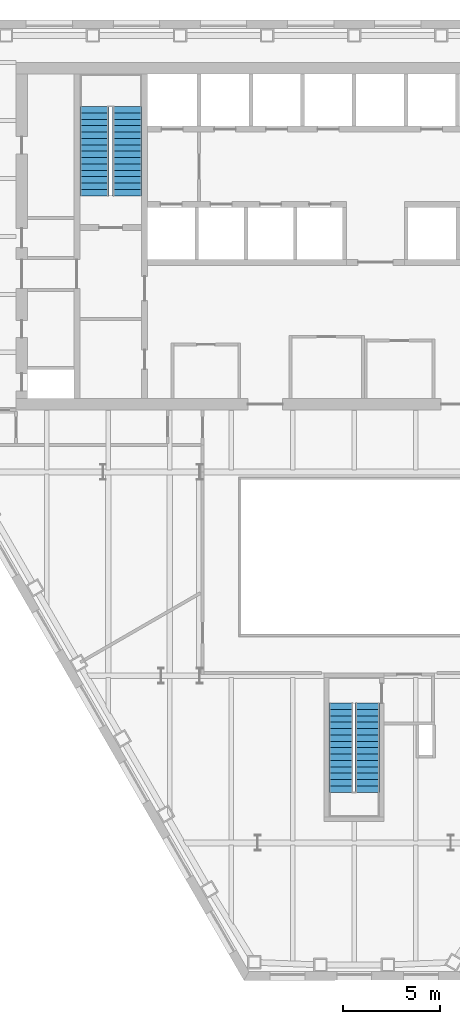
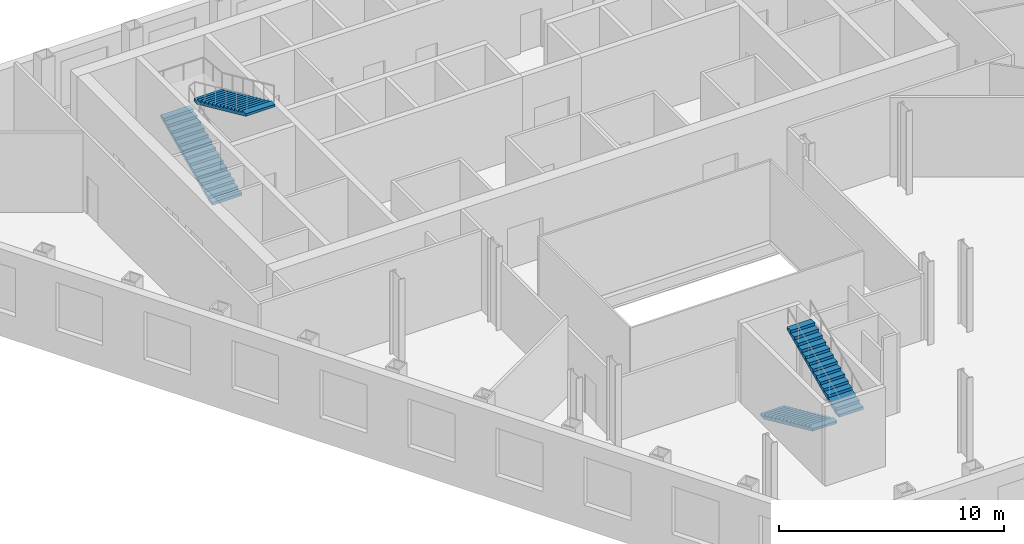
# One storey, part 8 of 10: 4 stair flights, 2 elements without a shape of their own.
"""IFC4 building model written with IfcOpenShell, lengths in metres."""

from ifc_helpers import new_model, si_unit, direction, frame, origin, place, context, subcontext, project, spatial, polygons, material, type_object, element, aggregate, save


model = new_model("IFC4")

# Units and contexts
model_context = context("Model", 3, precision=1e-05, world=origin(), true_north=direction((0.0, 1.0)))
body_context = subcontext(model_context, "Body", "Model", "MODEL_VIEW")
ifc_project = project(units=[si_unit("LENGTHUNIT", "METRE"), si_unit("AREAUNIT", "SQUARE_METRE"), si_unit("VOLUMEUNIT", "CUBIC_METRE"), si_unit("PLANEANGLEUNIT", "RADIAN"), si_unit("MASSUNIT", "GRAM", prefix="KILO")], contexts=[model_context])

# Site, building, storey
site_placement = place(None, origin())
site = spatial("IfcSite", under=ifc_project, at=site_placement, CompositionType="ELEMENT")
building_placement = place(site_placement, origin())
building = spatial("IfcBuilding", under=site, at=building_placement, Name="Njiva Tower", CompositionType="ELEMENT")
storey_placement = place(building_placement, frame((0.0, 0.0, 55.8)))
storey = spatial("IfcBuildingStorey", under=building, at=storey_placement, Name="L11", CompositionType="ELEMENT", Elevation=55.8)

# Stair, stair flights
ifc_material = material(Name="Concrete C40/50", Category="concrete")
stair_type_1 = type_object("IfcStairType", Name="ST1 Exit stair 1250", PredefinedType="HALF_TURN_STAIR", material=ifc_material)
stair_1_placement = place(storey_placement, origin())
stair_1 = element("IfcStair", 1, at=stair_1_placement, inside=storey, type_object=stair_type_1, Name="Stair C", PredefinedType="HALF_TURN_STAIR")
stair_flight_type_1 = type_object("IfcStairFlightType", Name="FL1 Stair flight 1250", PredefinedType="STRAIGHT", material=ifc_material)
stair_flight_1_placement = place(storey_placement, frame((-0.675, -15.16, 0.0), z_axis=(0.0, 0.0, 1.0), x_axis=(0.0, -1.0, 0.0)))
stair_flight_1 = element("IfcStairFlight", 2, at=stair_flight_1_placement, type_object=stair_flight_type_1, Name="ST-C flight 1", NumberOfRisers=15, NumberOfTreads=14, PredefinedType="STRAIGHT", RiserHeight=0.15, TreadLength=0.33, context=body_context, shape_type="Tessellation", body=[
    polygons([(0.0, 0.625, 0.0), (0.0, 0.3125, 0.0), (0.0, 0.0, 0.0), (0.0, -0.3125, 0.0), (0.0, -0.625, 0.0), (0.0, 0.625, 0.15), (0.0, 0.3125, 0.15), (0.0, 0.0, 0.15), (0.0, -0.3125, 0.15), (0.0, -0.625, 0.15), (0.33, 0.625, 0.15), (0.33, 0.3125, 0.15), (0.33, 0.0, 0.15), (0.33, -0.3125, 0.15), (0.33, -0.625, 0.15), (0.33, 0.625, 0.3), (0.33, 0.3125, 0.3), (0.33, 0.0, 0.3), (0.33, -0.3125, 0.3), (0.33, -0.625, 0.3), (0.66, 0.625, 0.3), (0.66, 0.3125, 0.3), (0.66, 0.0, 0.3), (0.66, -0.3125, 0.3), (0.66, -0.625, 0.3), (0.66, 0.625, 0.45), (0.66, 0.3125, 0.45), (0.66, 0.0, 0.45), (0.66, -0.3125, 0.45), (0.66, -0.625, 0.45), (0.99, 0.625, 0.45), (0.99, 0.3125, 0.45), (0.99, 0.0, 0.45), (0.99, -0.3125, 0.45), (0.99, -0.625, 0.45), (0.99, 0.625, 0.6), (0.99, 0.3125, 0.6), (0.99, 0.0, 0.6), (0.99, -0.3125, 0.6), (0.99, -0.625, 0.6), (1.32, 0.625, 0.6), (1.32, 0.3125, 0.6), (1.32, 0.0, 0.6), (1.32, -0.3125, 0.6), (1.32, -0.625, 0.6), (1.32, 0.625, 0.75), (1.32, 0.3125, 0.75), (1.32, 0.0, 0.75), (1.32, -0.3125, 0.75), (1.32, -0.625, 0.75), (1.65, 0.625, 0.75), (1.65, 0.3125, 0.75), (1.65, 0.0, 0.75), (1.65, -0.3125, 0.75), (1.65, -0.625, 0.75), (1.65, 0.625, 0.9), (1.65, 0.3125, 0.9), (1.65, 0.0, 0.9), (1.65, -0.3125, 0.9), (1.65, -0.625, 0.9), (1.98, 0.625, 0.9), (1.98, 0.3125, 0.9), (1.98, 0.0, 0.9), (1.98, -0.3125, 0.9), (1.98, -0.625, 0.9), (1.98, 0.625, 1.05), (1.98, 0.3125, 1.05), (1.98, 0.0, 1.05), (1.98, -0.3125, 1.05), (1.98, -0.625, 1.05), (2.31, 0.625, 1.05), (2.31, 0.3125, 1.05), (2.31, 0.0, 1.05), (2.31, -0.3125, 1.05), (2.31, -0.625, 1.05), (2.31, 0.625, 1.2), (2.31, 0.3125, 1.2), (2.31, 0.0, 1.2), (2.31, -0.3125, 1.2), (2.31, -0.625, 1.2), (2.64, 0.625, 1.2), (2.64, 0.3125, 1.2), (2.64, 0.0, 1.2), (2.64, -0.3125, 1.2), (2.64, -0.625, 1.2), (2.64, 0.625, 1.35), (2.64, 0.3125, 1.35), (2.64, 0.0, 1.35), (2.64, -0.3125, 1.35), (2.64, -0.625, 1.35), (2.97, 0.625, 1.35), (2.97, 0.3125, 1.35), (2.97, 0.0, 1.35), (2.97, -0.3125, 1.35), (2.97, -0.625, 1.35), (2.97, 0.625, 1.5), (2.97, 0.3125, 1.5), (2.97, 0.0, 1.5), (2.97, -0.3125, 1.5), (2.97, -0.625, 1.5), (3.3, 0.625, 1.5), (3.3, 0.3125, 1.5), (3.3, 0.0, 1.5), (3.3, -0.3125, 1.5), (3.3, -0.625, 1.5), (3.3, 0.625, 1.65), (3.3, 0.3125, 1.65), (3.3, 0.0, 1.65), (3.3, -0.3125, 1.65), (3.3, -0.625, 1.65), (3.63, 0.625, 1.65), (3.63, 0.3125, 1.65), (3.63, 0.0, 1.65), (3.63, -0.3125, 1.65), (3.63, -0.625, 1.65), (3.63, 0.625, 1.8), (3.63, 0.3125, 1.8), (3.63, 0.0, 1.8), (3.63, -0.3125, 1.8), (3.63, -0.625, 1.8), (3.96, 0.625, 1.8), (3.96, 0.3125, 1.8), (3.96, 0.0, 1.8), (3.96, -0.3125, 1.8), (3.96, -0.625, 1.8), (3.96, 0.625, 1.95), (3.96, 0.3125, 1.95), (3.96, 0.0, 1.95), (3.96, -0.3125, 1.95), (3.96, -0.625, 1.95), (4.29, 0.625, 1.95), (4.29, 0.3125, 1.95), (4.29, 0.0, 1.95), (4.29, -0.3125, 1.95), (4.29, -0.625, 1.95), (4.29, 0.625, 2.1), (4.29, 0.3125, 2.1), (4.29, 0.0, 2.1), (4.29, -0.3125, 2.1), (4.29, -0.625, 2.1), (4.62, 0.625, 2.1), (4.62, 0.3125, 2.1), (4.62, 0.0, 2.1), (4.62, -0.3125, 2.1), (4.62, -0.625, 2.1), (4.62, 0.625, 1.9682), (4.62, 0.3125, 1.9682), (4.62, 0.0, 1.9682), (4.62, -0.3125, 1.9682), (4.62, -0.625, 1.9682), (0.29, 0.625, 0.0), (0.29, 0.3125, 0.0), (0.29, 0.0, 0.0), (0.29, -0.3125, 0.0), (0.29, -0.625, 0.0)], [[[1, 6, 11, 16, 21, 26, 31, 36, 41, 46, 51, 56, 61, 66, 71, 76, 81, 86, 91, 96, 101, 106, 111, 116, 121, 126, 131, 136, 141, 146, 151]], [[155, 150, 145, 140, 135, 130, 125, 120, 115, 110, 105, 100, 95, 90, 85, 80, 75, 70, 65, 60, 55, 50, 45, 40, 35, 30, 25, 20, 15, 10, 5]], [[6, 1, 2, 7]], [[7, 2, 3, 8]], [[8, 3, 4, 9]], [[9, 4, 5, 10]], [[11, 6, 7, 12]], [[12, 7, 8, 13]], [[13, 8, 9, 14]], [[14, 9, 10, 15]], [[16, 11, 12, 17]], [[17, 12, 13, 18]], [[18, 13, 14, 19]], [[19, 14, 15, 20]], [[21, 16, 17, 22]], [[22, 17, 18, 23]], [[23, 18, 19, 24]], [[24, 19, 20, 25]], [[26, 21, 22, 27]], [[27, 22, 23, 28]], [[28, 23, 24, 29]], [[29, 24, 25, 30]], [[31, 26, 27, 32]], [[32, 27, 28, 33]], [[33, 28, 29, 34]], [[34, 29, 30, 35]], [[36, 31, 32, 37]], [[37, 32, 33, 38]], [[38, 33, 34, 39]], [[39, 34, 35, 40]], [[41, 36, 37, 42]], [[42, 37, 38, 43]], [[43, 38, 39, 44]], [[44, 39, 40, 45]], [[46, 41, 42, 47]], [[47, 42, 43, 48]], [[48, 43, 44, 49]], [[49, 44, 45, 50]], [[51, 46, 47, 52]], [[52, 47, 48, 53]], [[53, 48, 49, 54]], [[54, 49, 50, 55]], [[56, 51, 52, 57]], [[57, 52, 53, 58]], [[58, 53, 54, 59]], [[59, 54, 55, 60]], [[61, 56, 57, 62]], [[62, 57, 58, 63]], [[63, 58, 59, 64]], [[64, 59, 60, 65]], [[66, 61, 62, 67]], [[67, 62, 63, 68]], [[68, 63, 64, 69]], [[69, 64, 65, 70]], [[71, 66, 67, 72]], [[72, 67, 68, 73]], [[73, 68, 69, 74]], [[74, 69, 70, 75]], [[76, 71, 72, 77]], [[77, 72, 73, 78]], [[78, 73, 74, 79]], [[79, 74, 75, 80]], [[81, 76, 77, 82]], [[82, 77, 78, 83]], [[83, 78, 79, 84]], [[84, 79, 80, 85]], [[86, 81, 82, 87]], [[87, 82, 83, 88]], [[88, 83, 84, 89]], [[89, 84, 85, 90]], [[91, 86, 87, 92]], [[92, 87, 88, 93]], [[93, 88, 89, 94]], [[94, 89, 90, 95]], [[96, 91, 92, 97]], [[97, 92, 93, 98]], [[98, 93, 94, 99]], [[99, 94, 95, 100]], [[101, 96, 97, 102]], [[102, 97, 98, 103]], [[103, 98, 99, 104]], [[104, 99, 100, 105]], [[106, 101, 102, 107]], [[107, 102, 103, 108]], [[108, 103, 104, 109]], [[109, 104, 105, 110]], [[111, 106, 107, 112]], [[112, 107, 108, 113]], [[113, 108, 109, 114]], [[114, 109, 110, 115]], [[116, 111, 112, 117]], [[117, 112, 113, 118]], [[118, 113, 114, 119]], [[119, 114, 115, 120]], [[121, 116, 117, 122]], [[122, 117, 118, 123]], [[123, 118, 119, 124]], [[124, 119, 120, 125]], [[126, 121, 122, 127]], [[127, 122, 123, 128]], [[128, 123, 124, 129]], [[129, 124, 125, 130]], [[131, 126, 127, 132]], [[132, 127, 128, 133]], [[133, 128, 129, 134]], [[134, 129, 130, 135]], [[136, 131, 132, 137]], [[137, 132, 133, 138]], [[138, 133, 134, 139]], [[139, 134, 135, 140]], [[141, 136, 137, 142]], [[142, 137, 138, 143]], [[143, 138, 139, 144]], [[144, 139, 140, 145]], [[146, 141, 142, 147]], [[147, 142, 143, 148]], [[148, 143, 144, 149]], [[149, 144, 145, 150]], [[151, 146, 147, 152]], [[152, 147, 148, 153]], [[153, 148, 149, 154]], [[154, 149, 150, 155]], [[1, 151, 152, 2]], [[2, 152, 153, 3]], [[3, 153, 154, 4]], [[4, 154, 155, 5]]], closed=True),
])
stair_flight_2_placement = place(storey_placement, frame((0.675, -19.78, 2.25), z_axis=(0.0, 0.0, 1.0), x_axis=(0.0, 1.0, 0.0)))
stair_flight_2 = element("IfcStairFlight", 3, at=stair_flight_2_placement, type_object=stair_flight_type_1, Name="ST-C flight 2", NumberOfRisers=15, NumberOfTreads=14, PredefinedType="STRAIGHT", RiserHeight=0.15, TreadLength=0.33, context=body_context, shape_type="Tessellation", body=[
    polygons([(0.0, 0.625, 0.0), (0.0, 0.3125, 0.0), (0.0, 0.0, 0.0), (0.0, -0.3125, 0.0), (0.0, -0.625, 0.0), (0.0, 0.625, 0.15), (0.0, 0.3125, 0.15), (0.0, 0.0, 0.15), (0.0, -0.3125, 0.15), (0.0, -0.625, 0.15), (0.33, 0.625, 0.15), (0.33, 0.3125, 0.15), (0.33, 0.0, 0.15), (0.33, -0.3125, 0.15), (0.33, -0.625, 0.15), (0.33, 0.625, 0.3), (0.33, 0.3125, 0.3), (0.33, 0.0, 0.3), (0.33, -0.3125, 0.3), (0.33, -0.625, 0.3), (0.66, 0.625, 0.3), (0.66, 0.3125, 0.3), (0.66, 0.0, 0.3), (0.66, -0.3125, 0.3), (0.66, -0.625, 0.3), (0.66, 0.625, 0.45), (0.66, 0.3125, 0.45), (0.66, 0.0, 0.45), (0.66, -0.3125, 0.45), (0.66, -0.625, 0.45), (0.99, 0.625, 0.45), (0.99, 0.3125, 0.45), (0.99, 0.0, 0.45), (0.99, -0.3125, 0.45), (0.99, -0.625, 0.45), (0.99, 0.625, 0.6), (0.99, 0.3125, 0.6), (0.99, 0.0, 0.6), (0.99, -0.3125, 0.6), (0.99, -0.625, 0.6), (1.32, 0.625, 0.6), (1.32, 0.3125, 0.6), (1.32, 0.0, 0.6), (1.32, -0.3125, 0.6), (1.32, -0.625, 0.6), (1.32, 0.625, 0.75), (1.32, 0.3125, 0.75), (1.32, 0.0, 0.75), (1.32, -0.3125, 0.75), (1.32, -0.625, 0.75), (1.65, 0.625, 0.75), (1.65, 0.3125, 0.75), (1.65, 0.0, 0.75), (1.65, -0.3125, 0.75), (1.65, -0.625, 0.75), (1.65, 0.625, 0.9), (1.65, 0.3125, 0.9), (1.65, 0.0, 0.9), (1.65, -0.3125, 0.9), (1.65, -0.625, 0.9), (1.98, 0.625, 0.9), (1.98, 0.3125, 0.9), (1.98, 0.0, 0.9), (1.98, -0.3125, 0.9), (1.98, -0.625, 0.9), (1.98, 0.625, 1.05), (1.98, 0.3125, 1.05), (1.98, 0.0, 1.05), (1.98, -0.3125, 1.05), (1.98, -0.625, 1.05), (2.31, 0.625, 1.05), (2.31, 0.3125, 1.05), (2.31, 0.0, 1.05), (2.31, -0.3125, 1.05), (2.31, -0.625, 1.05), (2.31, 0.625, 1.2), (2.31, 0.3125, 1.2), (2.31, 0.0, 1.2), (2.31, -0.3125, 1.2), (2.31, -0.625, 1.2), (2.64, 0.625, 1.2), (2.64, 0.3125, 1.2), (2.64, 0.0, 1.2), (2.64, -0.3125, 1.2), (2.64, -0.625, 1.2), (2.64, 0.625, 1.35), (2.64, 0.3125, 1.35), (2.64, 0.0, 1.35), (2.64, -0.3125, 1.35), (2.64, -0.625, 1.35), (2.97, 0.625, 1.35), (2.97, 0.3125, 1.35), (2.97, 0.0, 1.35), (2.97, -0.3125, 1.35), (2.97, -0.625, 1.35), (2.97, 0.625, 1.5), (2.97, 0.3125, 1.5), (2.97, 0.0, 1.5), (2.97, -0.3125, 1.5), (2.97, -0.625, 1.5), (3.3, 0.625, 1.5), (3.3, 0.3125, 1.5), (3.3, 0.0, 1.5), (3.3, -0.3125, 1.5), (3.3, -0.625, 1.5), (3.3, 0.625, 1.65), (3.3, 0.3125, 1.65), (3.3, 0.0, 1.65), (3.3, -0.3125, 1.65), (3.3, -0.625, 1.65), (3.63, 0.625, 1.65), (3.63, 0.3125, 1.65), (3.63, 0.0, 1.65), (3.63, -0.3125, 1.65), (3.63, -0.625, 1.65), (3.63, 0.625, 1.8), (3.63, 0.3125, 1.8), (3.63, 0.0, 1.8), (3.63, -0.3125, 1.8), (3.63, -0.625, 1.8), (3.96, 0.625, 1.8), (3.96, 0.3125, 1.8), (3.96, 0.0, 1.8), (3.96, -0.3125, 1.8), (3.96, -0.625, 1.8), (3.96, 0.625, 1.95), (3.96, 0.3125, 1.95), (3.96, 0.0, 1.95), (3.96, -0.3125, 1.95), (3.96, -0.625, 1.95), (4.29, 0.625, 1.95), (4.29, 0.3125, 1.95), (4.29, 0.0, 1.95), (4.29, -0.3125, 1.95), (4.29, -0.625, 1.95), (4.29, 0.625, 2.1), (4.29, 0.3125, 2.1), (4.29, 0.0, 2.1), (4.29, -0.3125, 2.1), (4.29, -0.625, 2.1), (4.62, 0.625, 2.1), (4.62, 0.3125, 2.1), (4.62, 0.0, 2.1), (4.62, -0.3125, 2.1), (4.62, -0.625, 2.1), (4.62, 0.625, 1.9682), (4.62, 0.3125, 1.9682), (4.62, 0.0, 1.9682), (4.62, -0.3125, 1.9682), (4.62, -0.625, 1.9682), (0.29, 0.625, 0.0), (0.29, 0.3125, 0.0), (0.29, 0.0, 0.0), (0.29, -0.3125, 0.0), (0.29, -0.625, 0.0)], [[[1, 6, 11, 16, 21, 26, 31, 36, 41, 46, 51, 56, 61, 66, 71, 76, 81, 86, 91, 96, 101, 106, 111, 116, 121, 126, 131, 136, 141, 146, 151]], [[155, 150, 145, 140, 135, 130, 125, 120, 115, 110, 105, 100, 95, 90, 85, 80, 75, 70, 65, 60, 55, 50, 45, 40, 35, 30, 25, 20, 15, 10, 5]], [[6, 1, 2, 7]], [[7, 2, 3, 8]], [[8, 3, 4, 9]], [[9, 4, 5, 10]], [[11, 6, 7, 12]], [[12, 7, 8, 13]], [[13, 8, 9, 14]], [[14, 9, 10, 15]], [[16, 11, 12, 17]], [[17, 12, 13, 18]], [[18, 13, 14, 19]], [[19, 14, 15, 20]], [[21, 16, 17, 22]], [[22, 17, 18, 23]], [[23, 18, 19, 24]], [[24, 19, 20, 25]], [[26, 21, 22, 27]], [[27, 22, 23, 28]], [[28, 23, 24, 29]], [[29, 24, 25, 30]], [[31, 26, 27, 32]], [[32, 27, 28, 33]], [[33, 28, 29, 34]], [[34, 29, 30, 35]], [[36, 31, 32, 37]], [[37, 32, 33, 38]], [[38, 33, 34, 39]], [[39, 34, 35, 40]], [[41, 36, 37, 42]], [[42, 37, 38, 43]], [[43, 38, 39, 44]], [[44, 39, 40, 45]], [[46, 41, 42, 47]], [[47, 42, 43, 48]], [[48, 43, 44, 49]], [[49, 44, 45, 50]], [[51, 46, 47, 52]], [[52, 47, 48, 53]], [[53, 48, 49, 54]], [[54, 49, 50, 55]], [[56, 51, 52, 57]], [[57, 52, 53, 58]], [[58, 53, 54, 59]], [[59, 54, 55, 60]], [[61, 56, 57, 62]], [[62, 57, 58, 63]], [[63, 58, 59, 64]], [[64, 59, 60, 65]], [[66, 61, 62, 67]], [[67, 62, 63, 68]], [[68, 63, 64, 69]], [[69, 64, 65, 70]], [[71, 66, 67, 72]], [[72, 67, 68, 73]], [[73, 68, 69, 74]], [[74, 69, 70, 75]], [[76, 71, 72, 77]], [[77, 72, 73, 78]], [[78, 73, 74, 79]], [[79, 74, 75, 80]], [[81, 76, 77, 82]], [[82, 77, 78, 83]], [[83, 78, 79, 84]], [[84, 79, 80, 85]], [[86, 81, 82, 87]], [[87, 82, 83, 88]], [[88, 83, 84, 89]], [[89, 84, 85, 90]], [[91, 86, 87, 92]], [[92, 87, 88, 93]], [[93, 88, 89, 94]], [[94, 89, 90, 95]], [[96, 91, 92, 97]], [[97, 92, 93, 98]], [[98, 93, 94, 99]], [[99, 94, 95, 100]], [[101, 96, 97, 102]], [[102, 97, 98, 103]], [[103, 98, 99, 104]], [[104, 99, 100, 105]], [[106, 101, 102, 107]], [[107, 102, 103, 108]], [[108, 103, 104, 109]], [[109, 104, 105, 110]], [[111, 106, 107, 112]], [[112, 107, 108, 113]], [[113, 108, 109, 114]], [[114, 109, 110, 115]], [[116, 111, 112, 117]], [[117, 112, 113, 118]], [[118, 113, 114, 119]], [[119, 114, 115, 120]], [[121, 116, 117, 122]], [[122, 117, 118, 123]], [[123, 118, 119, 124]], [[124, 119, 120, 125]], [[126, 121, 122, 127]], [[127, 122, 123, 128]], [[128, 123, 124, 129]], [[129, 124, 125, 130]], [[131, 126, 127, 132]], [[132, 127, 128, 133]], [[133, 128, 129, 134]], [[134, 129, 130, 135]], [[136, 131, 132, 137]], [[137, 132, 133, 138]], [[138, 133, 134, 139]], [[139, 134, 135, 140]], [[141, 136, 137, 142]], [[142, 137, 138, 143]], [[143, 138, 139, 144]], [[144, 139, 140, 145]], [[146, 141, 142, 147]], [[147, 142, 143, 148]], [[148, 143, 144, 149]], [[149, 144, 145, 150]], [[151, 146, 147, 152]], [[152, 147, 148, 153]], [[153, 148, 149, 154]], [[154, 149, 150, 155]], [[1, 151, 152, 2]], [[2, 152, 153, 3]], [[3, 153, 154, 4]], [[4, 154, 155, 5]]], closed=True),
])
aggregate(stair_1, [stair_flight_1, stair_flight_2])

stair_type_2 = type_object("IfcStairType", Name="ST4 Exit stair 1500", PredefinedType="HALF_TURN_STAIR", material=ifc_material)
stair_2_placement = place(storey_placement, origin())
stair_2 = element("IfcStair", 4, at=stair_2_placement, inside=storey, type_object=stair_type_2, Name="Stair A", PredefinedType="HALF_TURN_STAIR")
stair_flight_type_2 = type_object("IfcStairFlightType", Name="FL4 Stair flight 1500", PredefinedType="STRAIGHT", material=ifc_material)
stair_flight_3_placement = place(storey_placement, frame((-13.45, 11.1, 0.0), z_axis=(0.0, 0.0, 1.0), x_axis=(0.0, 1.0, 0.0)))
stair_flight_3 = element("IfcStairFlight", 5, at=stair_flight_3_placement, type_object=stair_flight_type_2, Name="ST-A flight 1", NumberOfRisers=15, NumberOfTreads=14, PredefinedType="STRAIGHT", RiserHeight=0.15, TreadLength=0.33, context=body_context, shape_type="Tessellation", body=[
    polygons([(0.0, 0.75, 0.0), (0.0, 0.375, 0.0), (0.0, 0.0, 0.0), (0.0, -0.375, 0.0), (0.0, -0.75, 0.0), (0.0, 0.75, 0.15), (0.0, 0.375, 0.15), (0.0, 0.0, 0.15), (0.0, -0.375, 0.15), (0.0, -0.75, 0.15), (0.33, 0.75, 0.15), (0.33, 0.375, 0.15), (0.33, 0.0, 0.15), (0.33, -0.375, 0.15), (0.33, -0.75, 0.15), (0.33, 0.75, 0.3), (0.33, 0.375, 0.3), (0.33, 0.0, 0.3), (0.33, -0.375, 0.3), (0.33, -0.75, 0.3), (0.66, 0.75, 0.3), (0.66, 0.375, 0.3), (0.66, 0.0, 0.3), (0.66, -0.375, 0.3), (0.66, -0.75, 0.3), (0.66, 0.75, 0.45), (0.66, 0.375, 0.45), (0.66, 0.0, 0.45), (0.66, -0.375, 0.45), (0.66, -0.75, 0.45), (0.99, 0.75, 0.45), (0.99, 0.375, 0.45), (0.99, 0.0, 0.45), (0.99, -0.375, 0.45), (0.99, -0.75, 0.45), (0.99, 0.75, 0.6), (0.99, 0.375, 0.6), (0.99, 0.0, 0.6), (0.99, -0.375, 0.6), (0.99, -0.75, 0.6), (1.32, 0.75, 0.6), (1.32, 0.375, 0.6), (1.32, 0.0, 0.6), (1.32, -0.375, 0.6), (1.32, -0.75, 0.6), (1.32, 0.75, 0.75), (1.32, 0.375, 0.75), (1.32, 0.0, 0.75), (1.32, -0.375, 0.75), (1.32, -0.75, 0.75), (1.65, 0.75, 0.75), (1.65, 0.375, 0.75), (1.65, 0.0, 0.75), (1.65, -0.375, 0.75), (1.65, -0.75, 0.75), (1.65, 0.75, 0.9), (1.65, 0.375, 0.9), (1.65, 0.0, 0.9), (1.65, -0.375, 0.9), (1.65, -0.75, 0.9), (1.98, 0.75, 0.9), (1.98, 0.375, 0.9), (1.98, 0.0, 0.9), (1.98, -0.375, 0.9), (1.98, -0.75, 0.9), (1.98, 0.75, 1.05), (1.98, 0.375, 1.05), (1.98, 0.0, 1.05), (1.98, -0.375, 1.05), (1.98, -0.75, 1.05), (2.31, 0.75, 1.05), (2.31, 0.375, 1.05), (2.31, 0.0, 1.05), (2.31, -0.375, 1.05), (2.31, -0.75, 1.05), (2.31, 0.75, 1.2), (2.31, 0.375, 1.2), (2.31, 0.0, 1.2), (2.31, -0.375, 1.2), (2.31, -0.75, 1.2), (2.64, 0.75, 1.2), (2.64, 0.375, 1.2), (2.64, 0.0, 1.2), (2.64, -0.375, 1.2), (2.64, -0.75, 1.2), (2.64, 0.75, 1.35), (2.64, 0.375, 1.35), (2.64, 0.0, 1.35), (2.64, -0.375, 1.35), (2.64, -0.75, 1.35), (2.97, 0.75, 1.35), (2.97, 0.375, 1.35), (2.97, 0.0, 1.35), (2.97, -0.375, 1.35), (2.97, -0.75, 1.35), (2.97, 0.75, 1.5), (2.97, 0.375, 1.5), (2.97, 0.0, 1.5), (2.97, -0.375, 1.5), (2.97, -0.75, 1.5), (3.3, 0.75, 1.5), (3.3, 0.375, 1.5), (3.3, 0.0, 1.5), (3.3, -0.375, 1.5), (3.3, -0.75, 1.5), (3.3, 0.75, 1.65), (3.3, 0.375, 1.65), (3.3, 0.0, 1.65), (3.3, -0.375, 1.65), (3.3, -0.75, 1.65), (3.63, 0.75, 1.65), (3.63, 0.375, 1.65), (3.63, 0.0, 1.65), (3.63, -0.375, 1.65), (3.63, -0.75, 1.65), (3.63, 0.75, 1.8), (3.63, 0.375, 1.8), (3.63, 0.0, 1.8), (3.63, -0.375, 1.8), (3.63, -0.75, 1.8), (3.96, 0.75, 1.8), (3.96, 0.375, 1.8), (3.96, 0.0, 1.8), (3.96, -0.375, 1.8), (3.96, -0.75, 1.8), (3.96, 0.75, 1.95), (3.96, 0.375, 1.95), (3.96, 0.0, 1.95), (3.96, -0.375, 1.95), (3.96, -0.75, 1.95), (4.29, 0.75, 1.95), (4.29, 0.375, 1.95), (4.29, 0.0, 1.95), (4.29, -0.375, 1.95), (4.29, -0.75, 1.95), (4.29, 0.75, 2.1), (4.29, 0.375, 2.1), (4.29, 0.0, 2.1), (4.29, -0.375, 2.1), (4.29, -0.75, 2.1), (4.62, 0.75, 2.1), (4.62, 0.375, 2.1), (4.62, 0.0, 2.1), (4.62, -0.375, 2.1), (4.62, -0.75, 2.1), (4.62, 0.75, 1.9682), (4.62, 0.375, 1.9682), (4.62, 0.0, 1.9682), (4.62, -0.375, 1.9682), (4.62, -0.75, 1.9682), (0.29, 0.75, 0.0), (0.29, 0.375, 0.0), (0.29, 0.0, 0.0), (0.29, -0.375, 0.0), (0.29, -0.75, 0.0)], [[[1, 6, 11, 16, 21, 26, 31, 36, 41, 46, 51, 56, 61, 66, 71, 76, 81, 86, 91, 96, 101, 106, 111, 116, 121, 126, 131, 136, 141, 146, 151]], [[155, 150, 145, 140, 135, 130, 125, 120, 115, 110, 105, 100, 95, 90, 85, 80, 75, 70, 65, 60, 55, 50, 45, 40, 35, 30, 25, 20, 15, 10, 5]], [[6, 1, 2, 7]], [[7, 2, 3, 8]], [[8, 3, 4, 9]], [[9, 4, 5, 10]], [[11, 6, 7, 12]], [[12, 7, 8, 13]], [[13, 8, 9, 14]], [[14, 9, 10, 15]], [[16, 11, 12, 17]], [[17, 12, 13, 18]], [[18, 13, 14, 19]], [[19, 14, 15, 20]], [[21, 16, 17, 22]], [[22, 17, 18, 23]], [[23, 18, 19, 24]], [[24, 19, 20, 25]], [[26, 21, 22, 27]], [[27, 22, 23, 28]], [[28, 23, 24, 29]], [[29, 24, 25, 30]], [[31, 26, 27, 32]], [[32, 27, 28, 33]], [[33, 28, 29, 34]], [[34, 29, 30, 35]], [[36, 31, 32, 37]], [[37, 32, 33, 38]], [[38, 33, 34, 39]], [[39, 34, 35, 40]], [[41, 36, 37, 42]], [[42, 37, 38, 43]], [[43, 38, 39, 44]], [[44, 39, 40, 45]], [[46, 41, 42, 47]], [[47, 42, 43, 48]], [[48, 43, 44, 49]], [[49, 44, 45, 50]], [[51, 46, 47, 52]], [[52, 47, 48, 53]], [[53, 48, 49, 54]], [[54, 49, 50, 55]], [[56, 51, 52, 57]], [[57, 52, 53, 58]], [[58, 53, 54, 59]], [[59, 54, 55, 60]], [[61, 56, 57, 62]], [[62, 57, 58, 63]], [[63, 58, 59, 64]], [[64, 59, 60, 65]], [[66, 61, 62, 67]], [[67, 62, 63, 68]], [[68, 63, 64, 69]], [[69, 64, 65, 70]], [[71, 66, 67, 72]], [[72, 67, 68, 73]], [[73, 68, 69, 74]], [[74, 69, 70, 75]], [[76, 71, 72, 77]], [[77, 72, 73, 78]], [[78, 73, 74, 79]], [[79, 74, 75, 80]], [[81, 76, 77, 82]], [[82, 77, 78, 83]], [[83, 78, 79, 84]], [[84, 79, 80, 85]], [[86, 81, 82, 87]], [[87, 82, 83, 88]], [[88, 83, 84, 89]], [[89, 84, 85, 90]], [[91, 86, 87, 92]], [[92, 87, 88, 93]], [[93, 88, 89, 94]], [[94, 89, 90, 95]], [[96, 91, 92, 97]], [[97, 92, 93, 98]], [[98, 93, 94, 99]], [[99, 94, 95, 100]], [[101, 96, 97, 102]], [[102, 97, 98, 103]], [[103, 98, 99, 104]], [[104, 99, 100, 105]], [[106, 101, 102, 107]], [[107, 102, 103, 108]], [[108, 103, 104, 109]], [[109, 104, 105, 110]], [[111, 106, 107, 112]], [[112, 107, 108, 113]], [[113, 108, 109, 114]], [[114, 109, 110, 115]], [[116, 111, 112, 117]], [[117, 112, 113, 118]], [[118, 113, 114, 119]], [[119, 114, 115, 120]], [[121, 116, 117, 122]], [[122, 117, 118, 123]], [[123, 118, 119, 124]], [[124, 119, 120, 125]], [[126, 121, 122, 127]], [[127, 122, 123, 128]], [[128, 123, 124, 129]], [[129, 124, 125, 130]], [[131, 126, 127, 132]], [[132, 127, 128, 133]], [[133, 128, 129, 134]], [[134, 129, 130, 135]], [[136, 131, 132, 137]], [[137, 132, 133, 138]], [[138, 133, 134, 139]], [[139, 134, 135, 140]], [[141, 136, 137, 142]], [[142, 137, 138, 143]], [[143, 138, 139, 144]], [[144, 139, 140, 145]], [[146, 141, 142, 147]], [[147, 142, 143, 148]], [[148, 143, 144, 149]], [[149, 144, 145, 150]], [[151, 146, 147, 152]], [[152, 147, 148, 153]], [[153, 148, 149, 154]], [[154, 149, 150, 155]], [[1, 151, 152, 2]], [[2, 152, 153, 3]], [[3, 153, 154, 4]], [[4, 154, 155, 5]]], closed=True),
])
stair_flight_4_placement = place(storey_placement, frame((-11.75, 15.72, 2.25), z_axis=(0.0, 0.0, 1.0), x_axis=(0.0, -1.0, 0.0)))
stair_flight_4 = element("IfcStairFlight", 6, at=stair_flight_4_placement, type_object=stair_flight_type_2, Name="ST-A flight 2", NumberOfRisers=15, NumberOfTreads=14, PredefinedType="STRAIGHT", RiserHeight=0.15, TreadLength=0.33, context=body_context, shape_type="Tessellation", body=[
    polygons([(0.0, 0.75, 0.0), (0.0, 0.375, 0.0), (0.0, 0.0, 0.0), (0.0, -0.375, 0.0), (0.0, -0.75, 0.0), (0.0, 0.75, 0.15), (0.0, 0.375, 0.15), (0.0, 0.0, 0.15), (0.0, -0.375, 0.15), (0.0, -0.75, 0.15), (0.33, 0.75, 0.15), (0.33, 0.375, 0.15), (0.33, 0.0, 0.15), (0.33, -0.375, 0.15), (0.33, -0.75, 0.15), (0.33, 0.75, 0.3), (0.33, 0.375, 0.3), (0.33, 0.0, 0.3), (0.33, -0.375, 0.3), (0.33, -0.75, 0.3), (0.66, 0.75, 0.3), (0.66, 0.375, 0.3), (0.66, 0.0, 0.3), (0.66, -0.375, 0.3), (0.66, -0.75, 0.3), (0.66, 0.75, 0.45), (0.66, 0.375, 0.45), (0.66, 0.0, 0.45), (0.66, -0.375, 0.45), (0.66, -0.75, 0.45), (0.99, 0.75, 0.45), (0.99, 0.375, 0.45), (0.99, 0.0, 0.45), (0.99, -0.375, 0.45), (0.99, -0.75, 0.45), (0.99, 0.75, 0.6), (0.99, 0.375, 0.6), (0.99, 0.0, 0.6), (0.99, -0.375, 0.6), (0.99, -0.75, 0.6), (1.32, 0.75, 0.6), (1.32, 0.375, 0.6), (1.32, 0.0, 0.6), (1.32, -0.375, 0.6), (1.32, -0.75, 0.6), (1.32, 0.75, 0.75), (1.32, 0.375, 0.75), (1.32, 0.0, 0.75), (1.32, -0.375, 0.75), (1.32, -0.75, 0.75), (1.65, 0.75, 0.75), (1.65, 0.375, 0.75), (1.65, 0.0, 0.75), (1.65, -0.375, 0.75), (1.65, -0.75, 0.75), (1.65, 0.75, 0.9), (1.65, 0.375, 0.9), (1.65, 0.0, 0.9), (1.65, -0.375, 0.9), (1.65, -0.75, 0.9), (1.98, 0.75, 0.9), (1.98, 0.375, 0.9), (1.98, 0.0, 0.9), (1.98, -0.375, 0.9), (1.98, -0.75, 0.9), (1.98, 0.75, 1.05), (1.98, 0.375, 1.05), (1.98, 0.0, 1.05), (1.98, -0.375, 1.05), (1.98, -0.75, 1.05), (2.31, 0.75, 1.05), (2.31, 0.375, 1.05), (2.31, 0.0, 1.05), (2.31, -0.375, 1.05), (2.31, -0.75, 1.05), (2.31, 0.75, 1.2), (2.31, 0.375, 1.2), (2.31, 0.0, 1.2), (2.31, -0.375, 1.2), (2.31, -0.75, 1.2), (2.64, 0.75, 1.2), (2.64, 0.375, 1.2), (2.64, 0.0, 1.2), (2.64, -0.375, 1.2), (2.64, -0.75, 1.2), (2.64, 0.75, 1.35), (2.64, 0.375, 1.35), (2.64, 0.0, 1.35), (2.64, -0.375, 1.35), (2.64, -0.75, 1.35), (2.97, 0.75, 1.35), (2.97, 0.375, 1.35), (2.97, 0.0, 1.35), (2.97, -0.375, 1.35), (2.97, -0.75, 1.35), (2.97, 0.75, 1.5), (2.97, 0.375, 1.5), (2.97, 0.0, 1.5), (2.97, -0.375, 1.5), (2.97, -0.75, 1.5), (3.3, 0.75, 1.5), (3.3, 0.375, 1.5), (3.3, 0.0, 1.5), (3.3, -0.375, 1.5), (3.3, -0.75, 1.5), (3.3, 0.75, 1.65), (3.3, 0.375, 1.65), (3.3, 0.0, 1.65), (3.3, -0.375, 1.65), (3.3, -0.75, 1.65), (3.63, 0.75, 1.65), (3.63, 0.375, 1.65), (3.63, 0.0, 1.65), (3.63, -0.375, 1.65), (3.63, -0.75, 1.65), (3.63, 0.75, 1.8), (3.63, 0.375, 1.8), (3.63, 0.0, 1.8), (3.63, -0.375, 1.8), (3.63, -0.75, 1.8), (3.96, 0.75, 1.8), (3.96, 0.375, 1.8), (3.96, 0.0, 1.8), (3.96, -0.375, 1.8), (3.96, -0.75, 1.8), (3.96, 0.75, 1.95), (3.96, 0.375, 1.95), (3.96, 0.0, 1.95), (3.96, -0.375, 1.95), (3.96, -0.75, 1.95), (4.29, 0.75, 1.95), (4.29, 0.375, 1.95), (4.29, 0.0, 1.95), (4.29, -0.375, 1.95), (4.29, -0.75, 1.95), (4.29, 0.75, 2.1), (4.29, 0.375, 2.1), (4.29, 0.0, 2.1), (4.29, -0.375, 2.1), (4.29, -0.75, 2.1), (4.62, 0.75, 2.1), (4.62, 0.375, 2.1), (4.62, 0.0, 2.1), (4.62, -0.375, 2.1), (4.62, -0.75, 2.1), (4.62, 0.75, 1.9682), (4.62, 0.375, 1.9682), (4.62, 0.0, 1.9682), (4.62, -0.375, 1.9682), (4.62, -0.75, 1.9682), (0.29, 0.75, 0.0), (0.29, 0.375, 0.0), (0.29, 0.0, 0.0), (0.29, -0.375, 0.0), (0.29, -0.75, 0.0)], [[[1, 6, 11, 16, 21, 26, 31, 36, 41, 46, 51, 56, 61, 66, 71, 76, 81, 86, 91, 96, 101, 106, 111, 116, 121, 126, 131, 136, 141, 146, 151]], [[155, 150, 145, 140, 135, 130, 125, 120, 115, 110, 105, 100, 95, 90, 85, 80, 75, 70, 65, 60, 55, 50, 45, 40, 35, 30, 25, 20, 15, 10, 5]], [[6, 1, 2, 7]], [[7, 2, 3, 8]], [[8, 3, 4, 9]], [[9, 4, 5, 10]], [[11, 6, 7, 12]], [[12, 7, 8, 13]], [[13, 8, 9, 14]], [[14, 9, 10, 15]], [[16, 11, 12, 17]], [[17, 12, 13, 18]], [[18, 13, 14, 19]], [[19, 14, 15, 20]], [[21, 16, 17, 22]], [[22, 17, 18, 23]], [[23, 18, 19, 24]], [[24, 19, 20, 25]], [[26, 21, 22, 27]], [[27, 22, 23, 28]], [[28, 23, 24, 29]], [[29, 24, 25, 30]], [[31, 26, 27, 32]], [[32, 27, 28, 33]], [[33, 28, 29, 34]], [[34, 29, 30, 35]], [[36, 31, 32, 37]], [[37, 32, 33, 38]], [[38, 33, 34, 39]], [[39, 34, 35, 40]], [[41, 36, 37, 42]], [[42, 37, 38, 43]], [[43, 38, 39, 44]], [[44, 39, 40, 45]], [[46, 41, 42, 47]], [[47, 42, 43, 48]], [[48, 43, 44, 49]], [[49, 44, 45, 50]], [[51, 46, 47, 52]], [[52, 47, 48, 53]], [[53, 48, 49, 54]], [[54, 49, 50, 55]], [[56, 51, 52, 57]], [[57, 52, 53, 58]], [[58, 53, 54, 59]], [[59, 54, 55, 60]], [[61, 56, 57, 62]], [[62, 57, 58, 63]], [[63, 58, 59, 64]], [[64, 59, 60, 65]], [[66, 61, 62, 67]], [[67, 62, 63, 68]], [[68, 63, 64, 69]], [[69, 64, 65, 70]], [[71, 66, 67, 72]], [[72, 67, 68, 73]], [[73, 68, 69, 74]], [[74, 69, 70, 75]], [[76, 71, 72, 77]], [[77, 72, 73, 78]], [[78, 73, 74, 79]], [[79, 74, 75, 80]], [[81, 76, 77, 82]], [[82, 77, 78, 83]], [[83, 78, 79, 84]], [[84, 79, 80, 85]], [[86, 81, 82, 87]], [[87, 82, 83, 88]], [[88, 83, 84, 89]], [[89, 84, 85, 90]], [[91, 86, 87, 92]], [[92, 87, 88, 93]], [[93, 88, 89, 94]], [[94, 89, 90, 95]], [[96, 91, 92, 97]], [[97, 92, 93, 98]], [[98, 93, 94, 99]], [[99, 94, 95, 100]], [[101, 96, 97, 102]], [[102, 97, 98, 103]], [[103, 98, 99, 104]], [[104, 99, 100, 105]], [[106, 101, 102, 107]], [[107, 102, 103, 108]], [[108, 103, 104, 109]], [[109, 104, 105, 110]], [[111, 106, 107, 112]], [[112, 107, 108, 113]], [[113, 108, 109, 114]], [[114, 109, 110, 115]], [[116, 111, 112, 117]], [[117, 112, 113, 118]], [[118, 113, 114, 119]], [[119, 114, 115, 120]], [[121, 116, 117, 122]], [[122, 117, 118, 123]], [[123, 118, 119, 124]], [[124, 119, 120, 125]], [[126, 121, 122, 127]], [[127, 122, 123, 128]], [[128, 123, 124, 129]], [[129, 124, 125, 130]], [[131, 126, 127, 132]], [[132, 127, 128, 133]], [[133, 128, 129, 134]], [[134, 129, 130, 135]], [[136, 131, 132, 137]], [[137, 132, 133, 138]], [[138, 133, 134, 139]], [[139, 134, 135, 140]], [[141, 136, 137, 142]], [[142, 137, 138, 143]], [[143, 138, 139, 144]], [[144, 139, 140, 145]], [[146, 141, 142, 147]], [[147, 142, 143, 148]], [[148, 143, 144, 149]], [[149, 144, 145, 150]], [[151, 146, 147, 152]], [[152, 147, 148, 153]], [[153, 148, 149, 154]], [[154, 149, 150, 155]], [[1, 151, 152, 2]], [[2, 152, 153, 3]], [[3, 153, 154, 4]], [[4, 154, 155, 5]]], closed=True),
])
aggregate(stair_2, [stair_flight_3, stair_flight_4])

save(model, "model.ifc")
